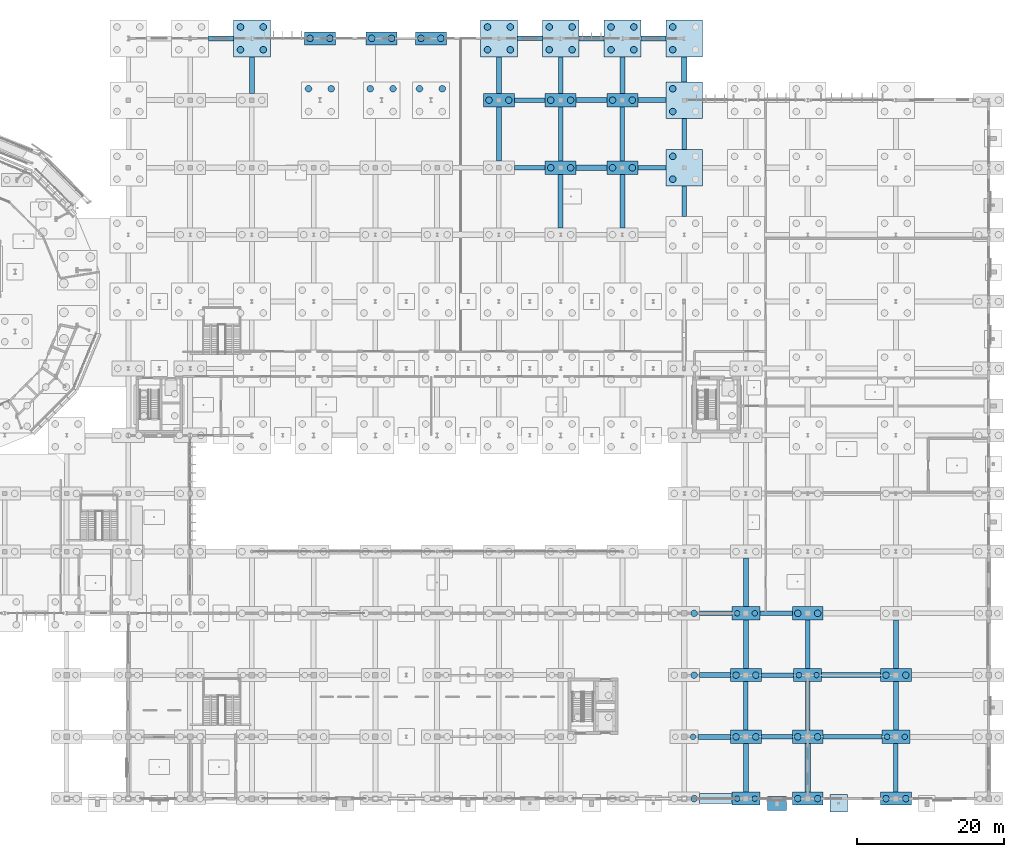
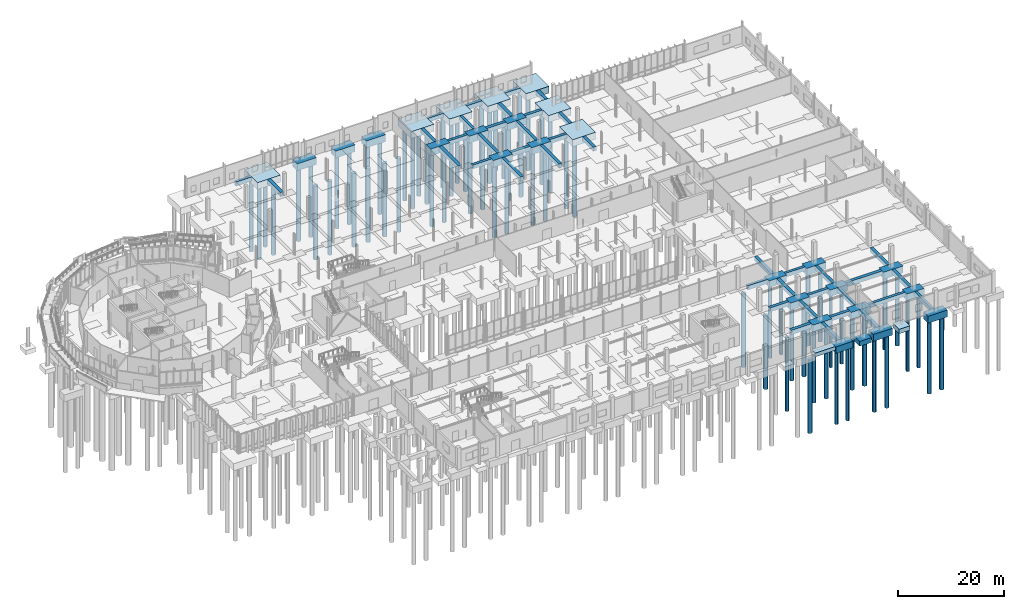
# One storey, part 6 of 119: 70 piles, 69 footings.
"""IFC4 building model written with IfcOpenShell, lengths in metres."""

from ifc_helpers import new_model, si_unit, derived_unit, direction, frame, origin, origin_2d, place, context, subcontext, project, spatial, rectangle, circle, extrude, material, layer, layer_set, material_profile, profile_set, type_object, element, save


model = new_model("IFC4")

# Units and contexts
model_context = context("Model", 3, precision=1e-05, world=origin(), true_north=direction((0.0, 1.0)))
body_context = subcontext(model_context, "Body", "Model", "MODEL_VIEW")
ifc_project = project(units=[si_unit("LENGTHUNIT", "METRE"), si_unit("AREAUNIT", "SQUARE_METRE"), si_unit("VOLUMEUNIT", "CUBIC_METRE"), si_unit("PLANEANGLEUNIT", "RADIAN"), si_unit("MASSUNIT", "GRAM", prefix="KILO"), derived_unit("THERMALTRANSMITTANCEUNIT", [(si_unit("MASSUNIT", "GRAM", prefix="KILO"), 1), (si_unit("TIMEUNIT", "SECOND"), -3), (si_unit("THERMODYNAMICTEMPERATUREUNIT", "KELVIN"), -1)])], contexts=[model_context])

# Site, building, storey
site_placement = place(None, origin())
site = spatial("IfcSite", under=ifc_project, at=site_placement, CompositionType="ELEMENT")
building_placement = place(site_placement, origin())
building = spatial("IfcBuilding", under=site, at=building_placement, Name="Makaiwela Harbour Ferry Terminal", CompositionType="ELEMENT")
storey_placement = place(building_placement, origin())
storey = spatial("IfcBuildingStorey", under=building, at=storey_placement, Name="L00", CompositionType="ELEMENT", Elevation=0.0)

# Footings
ifc_material_1 = material(Name="Concrete f'c 45 MPa (6500 psi)", Category="concrete")
ifc_layer_1 = layer(ifc_material_1, 1.10009765625)
ifc_layer_set_1 = layer_set([ifc_layer_1], Name="Concrete f'c 45 MPa (6500 psi)")
footing_type_1 = type_object("IfcFootingType", Name="FND-PAD-02", PredefinedType="PAD_FOOTING", material=ifc_layer_set_1)
footing_1_placement = place(storey_placement, frame((151.199951171875, -0.64990234375, -1.10009765625), z_axis=(0.0, 0.0, 1.0), x_axis=(1.0, 0.0, 0.0)))
element("IfcFooting", 1, at=footing_1_placement, inside=storey, type_object=footing_type_1, Name="Foundation Footing PF-02", PredefinedType="PAD_FOOTING", context=body_context, shape_type="SweptSolid", body=[
    extrude(rectangle(XDim=2.60009765625, YDim=1.89990234375, at=origin_2d()), origin(), (0.0, 0.0, 1.0), 1.10009765625),
])
ifc_layer_2 = layer(ifc_material_1, 1.050048828125)
ifc_layer_set_2 = layer_set([ifc_layer_2], Name="Concrete f'c 45 MPa (6500 psi)")
footing_type_2 = type_object("IfcFootingType", Name="FND-PAD-03", PredefinedType="PAD_FOOTING", material=ifc_layer_set_2)
footing_2_placement = place(storey_placement, frame((159.60009765625, -0.64990234375, -1.0498046875), z_axis=(0.0, 0.0, 1.0), x_axis=(1.0, 0.0, 0.0)))
element("IfcFooting", 2, at=footing_2_placement, inside=storey, type_object=footing_type_2, Name="Foundation Footing PF-03", PredefinedType="PAD_FOOTING", context=body_context, shape_type="SweptSolid", body=[
    extrude(rectangle(XDim=2.39990234375, YDim=2.39990234375, at=origin_2d()), origin(), (0.0, 0.0, 1.0), 1.050048828125),
])
ifc_layer_3 = layer(ifc_material_1, 1.60009765625)
ifc_layer_set_3 = layer_set([ifc_layer_3], Name="Concrete f'c 45 MPa (6500 psi)")
footing_type_3 = type_object("IfcFootingType", Name="FND-PC-01", PredefinedType="PILE_CAP", material=ifc_layer_set_3)
for number, where, z_axis, x_axis, name in (
    (3, (89.050048828125, 103.39990234375, -1.60009765625), (0.0, 0.0, 1.0), (1.0, 0.0, 0.0), "Foundation Footing PC-01"),
    (4, (97.449951171875, 103.39990234375, -1.60009765625), (0.0, 0.0, 1.0), (1.0, 0.0, 0.0), "Foundation Footing PC-01"),
    (5, (104.14990234375, 103.39990234375, -1.60009765625), (0.0, 0.0, 1.0), (1.0, 0.0, 0.0), "Foundation Footing PC-01"),
    (6, (113.39990234375, 95.0, -1.60009765625), (0.0, 0.0, 1.0), (1.0, 0.0, 0.0), "Foundation Footing PC-01"),
    (7, (121.800048828125, 85.800048828125, -1.60009765625), (0.0, 0.0, 1.0), (1.0, 0.0, 0.0), "Foundation Footing PC-01"),
    (8, (121.800048828125, 95.0, -1.60009765625), (0.0, 0.0, 1.0), (1.0, 0.0, 0.0), "Foundation Footing PC-01"),
    (9, (130.199951171875, 85.800048828125, -1.60009765625), (0.0, 0.0, 1.0), (1.0, 0.0, 0.0), "Foundation Footing PC-01"),
    (10, (130.199951171875, 95.0, -1.60009765625), (0.0, 0.0, 1.0), (1.0, 0.0, 0.0), "Foundation Footing PC-01"),
    (11, (147.0, 8.39990234375, -1.60009765625), (0.0, 0.0, 1.0), (1.0, 0.0, 0.0), "Foundation Footing PC-01"),
    (12, (147.0, 16.800048828125, -1.60009765625), (0.0, 0.0, 1.0), (1.0, 0.0, 0.0), "Foundation Footing PC-01"),
    (13, (155.39990234375, 0.0, -1.60009765625), (0.0, 0.0, 1.0), (1.0, 0.0, 0.0), "Foundation Footing PC-01"),
    (14, (155.39990234375, 8.39990234375, -1.60009765625), (0.0, 0.0, 1.0), (1.0, 0.0, 0.0), "Foundation Footing PC-01"),
    (15, (155.39990234375, 25.199951171875, -1.60009765625), (0.0, 0.0, 1.0), (1.0, 0.0, 0.0), "Foundation Footing PC-01"),
    (16, (167.39990234375, 0.0, -1.60009765625), (0.0, 0.0, 1.0), (1.0, 0.0, 0.0), "Foundation Footing PC-01"),
    (17, (167.39990234375, 16.800048828125, -1.60009765625), (0.0, 0.0, 1.0), (1.0, 0.0, 0.0), "Foundation Footing PC-01"),
):
    element("IfcFooting", number, at=place(storey_placement, frame(where, z_axis=z_axis, x_axis=x_axis)), inside=storey, type_object=footing_type_3, Name=name, PredefinedType="PILE_CAP", context=body_context, shape_type="SweptSolid", body=[
        extrude(rectangle(XDim=4.199951171875, YDim=1.800048828125, at=origin_2d()), origin(), (0.0, 0.0, 1.0), 1.60009765625),
    ])
ifc_layer_4 = layer(ifc_material_1, 1.60009765625)
ifc_layer_set_4 = layer_set([ifc_layer_4], Name="Concrete f'c 45 MPa (6500 psi)")
footing_type_4 = type_object("IfcFootingType", Name="FND-PC-04", PredefinedType="PILE_CAP", material=ifc_layer_set_4)
for number, where, z_axis, x_axis, name in (
    (18, (79.800048828125, 103.39990234375, -1.60009765625), (0.0, 0.0, 1.0), (1.0, 0.0, 0.0), "Foundation Footing PC-04"),
    (19, (113.39990234375, 103.39990234375, -1.60009765625), (0.0, 0.0, 1.0), (1.0, 0.0, 0.0), "Foundation Footing PC-04"),
    (20, (121.800048828125, 103.39990234375, -1.60009765625), (0.0, 0.0, 1.0), (1.0, 0.0, 0.0), "Foundation Footing PC-04"),
    (21, (130.199951171875, 103.39990234375, -1.60009765625), (0.0, 0.0, 1.0), (1.0, 0.0, 0.0), "Foundation Footing PC-04"),
    (22, (138.60009765625, 85.800048828125, -1.60009765625), (0.0, 0.0, 1.0), (1.0, 0.0, 0.0), "Foundation Footing PC-04"),
    (23, (138.60009765625, 95.0, -1.60009765625), (0.0, 0.0, 1.0), (1.0, 0.0, 0.0), "Foundation Footing PC-04"),
    (24, (138.60009765625, 103.39990234375, -1.60009765625), (0.0, 0.0, 1.0), (1.0, 0.0, 0.0), "Foundation Footing PC-04"),
):
    element("IfcFooting", number, at=place(storey_placement, frame(where, z_axis=z_axis, x_axis=x_axis)), inside=storey, type_object=footing_type_4, Name=name, PredefinedType="PILE_CAP", context=body_context, shape_type="SweptSolid", body=[
        extrude(rectangle(XDim=5.0, YDim=5.0, at=origin_2d()), origin(), (0.0, 0.0, 1.0), 1.60009765625),
    ])
ifc_layer_5 = layer(ifc_material_1, 1.5)
ifc_layer_set_5 = layer_set([ifc_layer_5], Name="Concrete f'c 45 MPa (6500 psi)")
footing_type_5 = type_object("IfcFootingType", Name="FND-PC-07", PredefinedType="PILE_CAP", material=ifc_layer_set_5)
for number, where, z_axis, x_axis, name in (
    (25, (147.0, 0.0, -1.5), (0.0, 0.0, 1.0), (1.0, 0.0, 0.0), "Foundation Footing PC-07"),
    (26, (147.0, 25.199951171875, -1.5), (0.0, 0.0, 1.0), (1.0, 0.0, 0.0), "Foundation Footing PC-07"),
    (27, (155.39990234375, 16.800048828125, -1.5), (0.0, 0.0, 1.0), (1.0, 0.0, 0.0), "Foundation Footing PC-07"),
    (28, (167.39990234375, 8.39990234375, -1.5), (0.0, 0.0, 1.0), (1.0, 0.0, 0.0), "Foundation Footing PC-07"),
):
    element("IfcFooting", number, at=place(storey_placement, frame(where, z_axis=z_axis, x_axis=x_axis)), inside=storey, type_object=footing_type_5, Name=name, PredefinedType="PILE_CAP", context=body_context, shape_type="SweptSolid", body=[
        extrude(rectangle(XDim=3.800048828125, YDim=1.800048828125, at=origin_2d()), origin(), (0.0, 0.0, 1.0), 1.5),
    ])

# Piles
ifc_material_2 = material(Name="Precast concrete f'c 45 MPa (6500 psi)", Category="concrete")
ifc_material_profile_1 = material_profile(ifc_material_2, circle(Radius=0.375, at=origin_2d()), Name="PILE-D750")
ifc_profile_set_1 = profile_set([ifc_material_profile_1], Name="Precast concrete f'c 45 MPa (6500 psi)")
pile_type_1 = type_object("IfcPileType", Name="FND-PIL-D750", PredefinedType="DRIVEN", material=ifc_profile_set_1)
for number, where, z_axis, x_axis, name in (
    (29, (139.800048828125, 8.39990234375, -1.35009765625), (0.0, 0.0, -1.0), (1.0, 0.0, 0.0), "Marine Pile MP-03"),
    (30, (145.800048828125, 0.0, -1.35009765625), (0.0, 0.0, -1.0), (1.0, 0.0, 0.0), "Marine Pile MP-03"),
    (31, (148.199951171875, 0.0, -1.35009765625), (0.0, 0.0, -1.0), (1.0, 0.0, 0.0), "Marine Pile MP-03"),
    (32, (145.800048828125, 25.199951171875, -1.35009765625), (0.0, 0.0, -1.0), (1.0, 0.0, 0.0), "Marine Pile MP-03"),
    (33, (148.199951171875, 25.199951171875, -1.35009765625), (0.0, 0.0, -1.0), (1.0, 0.0, 0.0), "Marine Pile MP-03"),
    (34, (154.199951171875, 16.800048828125, -1.35009765625), (0.0, 0.0, -1.0), (1.0, 0.0, 0.0), "Marine Pile MP-03"),
    (35, (156.60009765625, 16.800048828125, -1.35009765625), (0.0, 0.0, -1.0), (1.0, 0.0, 0.0), "Marine Pile MP-03"),
    (36, (166.199951171875, 8.39990234375, -1.35009765625), (0.0, 0.0, -1.0), (1.0, 0.0, 0.0), "Marine Pile MP-03"),
    (37, (168.60009765625, 8.39990234375, -1.35009765625), (0.0, 0.0, -1.0), (1.0, 0.0, 0.0), "Marine Pile MP-03"),
):
    element("IfcPile", number, at=place(storey_placement, frame(where, z_axis=z_axis, x_axis=x_axis)), inside=storey, type_object=pile_type_1, Name=name, PredefinedType="DRIVEN", context=body_context, shape_type="SweptSolid", body=[
        extrude(circle(Radius=0.375, at=origin_2d()), origin(), (0.0, 0.0, 1.0), 17.14990234375),
    ])
ifc_material_profile_2 = material_profile(ifc_material_1, circle(Radius=0.449951171875, at=origin_2d()), Name="PILE-D900")
ifc_profile_set_2 = profile_set([ifc_material_profile_2], Name="Concrete f'c 45 MPa (6500 psi)")
pile_type_2 = type_object("IfcPileType", Name="FND-PIL-D900", PredefinedType="BORED", material=ifc_profile_set_2)
for number, where, z_axis, x_axis, name in (
    (38, (87.5, 96.550048828125, -1.449951171875), (0.0, 0.0, -1.0), (1.0, 0.0, 0.0), "Marine Pile MP-01"),
    (39, (90.60009765625, 96.550048828125, -1.449951171875), (0.0, 0.0, -1.0), (1.0, 0.0, 0.0), "Marine Pile MP-01"),
    (40, (87.699951171875, 103.39990234375, -1.449951171875), (0.0, 0.0, -1.0), (1.0, 0.0, 0.0), "Marine Pile MP-01"),
    (41, (90.39990234375, 103.39990234375, -1.449951171875), (0.0, 0.0, -1.0), (1.0, 0.0, 0.0), "Marine Pile MP-01"),
    (42, (95.89990234375, 96.550048828125, -1.449951171875), (0.0, 0.0, -1.0), (1.0, 0.0, 0.0), "Marine Pile MP-01"),
    (43, (99.0, 96.550048828125, -1.449951171875), (0.0, 0.0, -1.0), (1.0, 0.0, 0.0), "Marine Pile MP-01"),
    (44, (96.10009765625, 103.39990234375, -1.449951171875), (0.0, 0.0, -1.0), (1.0, 0.0, 0.0), "Marine Pile MP-01"),
    (45, (98.800048828125, 103.39990234375, -1.449951171875), (0.0, 0.0, -1.0), (1.0, 0.0, 0.0), "Marine Pile MP-01"),
    (46, (102.60009765625, 96.550048828125, -1.449951171875), (0.0, 0.0, -1.0), (1.0, 0.0, 0.0), "Marine Pile MP-01"),
    (47, (105.699951171875, 96.550048828125, -1.449951171875), (0.0, 0.0, -1.0), (1.0, 0.0, 0.0), "Marine Pile MP-01"),
    (48, (102.800048828125, 103.39990234375, -1.449951171875), (0.0, 0.0, -1.0), (1.0, 0.0, 0.0), "Marine Pile MP-01"),
    (49, (105.5, 103.39990234375, -1.449951171875), (0.0, 0.0, -1.0), (1.0, 0.0, 0.0), "Marine Pile MP-01"),
    (50, (78.25, 101.85009765625, -1.449951171875), (0.0, 0.0, -1.0), (1.0, 0.0, 0.0), "Marine Pile MP-01"),
    (51, (81.35009765625, 101.85009765625, -1.449951171875), (0.0, 0.0, -1.0), (1.0, 0.0, 0.0), "Marine Pile MP-01"),
    (52, (78.25, 104.949951171875, -1.449951171875), (0.0, 0.0, -1.0), (1.0, 0.0, 0.0), "Marine Pile MP-01"),
    (53, (81.35009765625, 104.949951171875, -1.449951171875), (0.0, 0.0, -1.0), (1.0, 0.0, 0.0), "Marine Pile MP-01"),
    (54, (112.050048828125, 95.0, -1.449951171875), (0.0, 0.0, -1.0), (1.0, 0.0, 0.0), "Marine Pile MP-01"),
    (55, (114.75, 95.0, -1.449951171875), (0.0, 0.0, -1.0), (1.0, 0.0, 0.0), "Marine Pile MP-01"),
    (56, (111.85009765625, 101.85009765625, -1.449951171875), (0.0, 0.0, -1.0), (1.0, 0.0, 0.0), "Marine Pile MP-01"),
    (57, (114.949951171875, 101.85009765625, -1.449951171875), (0.0, 0.0, -1.0), (1.0, 0.0, 0.0), "Marine Pile MP-01"),
    (58, (111.85009765625, 104.949951171875, -1.449951171875), (0.0, 0.0, -1.0), (1.0, 0.0, 0.0), "Marine Pile MP-01"),
    (59, (114.949951171875, 104.949951171875, -1.449951171875), (0.0, 0.0, -1.0), (1.0, 0.0, 0.0), "Marine Pile MP-01"),
    (60, (120.449951171875, 85.800048828125, -1.449951171875), (0.0, 0.0, -1.0), (1.0, 0.0, 0.0), "Marine Pile MP-01"),
    (61, (123.14990234375, 85.800048828125, -1.449951171875), (0.0, 0.0, -1.0), (1.0, 0.0, 0.0), "Marine Pile MP-01"),
    (62, (120.449951171875, 95.0, -1.449951171875), (0.0, 0.0, -1.0), (1.0, 0.0, 0.0), "Marine Pile MP-01"),
    (63, (123.14990234375, 95.0, -1.449951171875), (0.0, 0.0, -1.0), (1.0, 0.0, 0.0), "Marine Pile MP-01"),
    (64, (120.25, 101.85009765625, -1.449951171875), (0.0, 0.0, -1.0), (1.0, 0.0, 0.0), "Marine Pile MP-01"),
    (65, (123.35009765625, 101.85009765625, -1.449951171875), (0.0, 0.0, -1.0), (1.0, 0.0, 0.0), "Marine Pile MP-01"),
    (66, (120.25, 104.949951171875, -1.449951171875), (0.0, 0.0, -1.0), (1.0, 0.0, 0.0), "Marine Pile MP-01"),
    (67, (123.35009765625, 104.949951171875, -1.449951171875), (0.0, 0.0, -1.0), (1.0, 0.0, 0.0), "Marine Pile MP-01"),
    (68, (128.85009765625, 85.800048828125, -1.449951171875), (0.0, 0.0, -1.0), (1.0, 0.0, 0.0), "Marine Pile MP-01"),
    (69, (131.550048828125, 85.800048828125, -1.449951171875), (0.0, 0.0, -1.0), (1.0, 0.0, 0.0), "Marine Pile MP-01"),
    (70, (128.85009765625, 95.0, -1.449951171875), (0.0, 0.0, -1.0), (1.0, 0.0, 0.0), "Marine Pile MP-01"),
    (71, (131.550048828125, 95.0, -1.449951171875), (0.0, 0.0, -1.0), (1.0, 0.0, 0.0), "Marine Pile MP-01"),
    (72, (128.64990234375, 101.85009765625, -1.449951171875), (0.0, 0.0, -1.0), (1.0, 0.0, 0.0), "Marine Pile MP-01"),
    (73, (131.75, 101.85009765625, -1.449951171875), (0.0, 0.0, -1.0), (1.0, 0.0, 0.0), "Marine Pile MP-01"),
    (74, (128.64990234375, 104.949951171875, -1.449951171875), (0.0, 0.0, -1.0), (1.0, 0.0, 0.0), "Marine Pile MP-01"),
    (75, (131.75, 104.949951171875, -1.449951171875), (0.0, 0.0, -1.0), (1.0, 0.0, 0.0), "Marine Pile MP-01"),
    (76, (137.050048828125, 84.25, -1.449951171875), (0.0, 0.0, -1.0), (1.0, 0.0, 0.0), "Marine Pile MP-01"),
    (77, (137.050048828125, 87.35009765625, -1.449951171875), (0.0, 0.0, -1.0), (1.0, 0.0, 0.0), "Marine Pile MP-01"),
    (78, (137.050048828125, 93.449951171875, -1.449951171875), (0.0, 0.0, -1.0), (1.0, 0.0, 0.0), "Marine Pile MP-01"),
    (79, (137.050048828125, 96.550048828125, -1.449951171875), (0.0, 0.0, -1.0), (1.0, 0.0, 0.0), "Marine Pile MP-01"),
    (80, (137.050048828125, 101.85009765625, -1.449951171875), (0.0, 0.0, -1.0), (1.0, 0.0, 0.0), "Marine Pile MP-01"),
    (81, (137.050048828125, 104.949951171875, -1.449951171875), (0.0, 0.0, -1.0), (1.0, 0.0, 0.0), "Marine Pile MP-01"),
    (82, (139.949951171875, 0.0, -1.449951171875), (0.0, 0.0, -1.0), (1.0, 0.0, 0.0), "Marine Pile MP-01"),
    (83, (139.949951171875, 16.800048828125, -1.449951171875), (0.0, 0.0, -1.0), (1.0, 0.0, 0.0), "Marine Pile MP-01"),
    (84, (139.949951171875, 25.199951171875, -1.449951171875), (0.0, 0.0, -1.0), (1.0, 0.0, 0.0), "Marine Pile MP-01"),
    (85, (145.64990234375, 8.39990234375, -1.449951171875), (0.0, 0.0, -1.0), (1.0, 0.0, 0.0), "Marine Pile MP-01"),
    (86, (148.35009765625, 8.39990234375, -1.449951171875), (0.0, 0.0, -1.0), (1.0, 0.0, 0.0), "Marine Pile MP-01"),
    (87, (145.64990234375, 16.800048828125, -1.449951171875), (0.0, 0.0, -1.0), (1.0, 0.0, 0.0), "Marine Pile MP-01"),
    (88, (148.35009765625, 16.800048828125, -1.449951171875), (0.0, 0.0, -1.0), (1.0, 0.0, 0.0), "Marine Pile MP-01"),
    (89, (154.050048828125, 0.0, -1.449951171875), (0.0, 0.0, -1.0), (1.0, 0.0, 0.0), "Marine Pile MP-01"),
    (90, (156.75, 0.0, -1.449951171875), (0.0, 0.0, -1.0), (1.0, 0.0, 0.0), "Marine Pile MP-01"),
    (91, (154.050048828125, 8.39990234375, -1.449951171875), (0.0, 0.0, -1.0), (1.0, 0.0, 0.0), "Marine Pile MP-01"),
    (92, (156.75, 8.39990234375, -1.449951171875), (0.0, 0.0, -1.0), (1.0, 0.0, 0.0), "Marine Pile MP-01"),
    (93, (154.050048828125, 25.199951171875, -1.449951171875), (0.0, 0.0, -1.0), (1.0, 0.0, 0.0), "Marine Pile MP-01"),
    (94, (156.75, 25.199951171875, -1.449951171875), (0.0, 0.0, -1.0), (1.0, 0.0, 0.0), "Marine Pile MP-01"),
    (95, (166.050048828125, 0.0, -1.449951171875), (0.0, 0.0, -1.0), (1.0, 0.0, 0.0), "Marine Pile MP-01"),
    (96, (168.75, 0.0, -1.449951171875), (0.0, 0.0, -1.0), (1.0, 0.0, 0.0), "Marine Pile MP-01"),
    (97, (166.050048828125, 16.800048828125, -1.449951171875), (0.0, 0.0, -1.0), (1.0, 0.0, 0.0), "Marine Pile MP-01"),
    (98, (168.75, 16.800048828125, -1.449951171875), (0.0, 0.0, -1.0), (1.0, 0.0, 0.0), "Marine Pile MP-01"),
):
    element("IfcPile", number, at=place(storey_placement, frame(where, z_axis=z_axis, x_axis=x_axis)), inside=storey, type_object=pile_type_2, Name=name, PredefinedType="BORED", context=body_context, shape_type="SweptSolid", body=[
        extrude(circle(Radius=0.449951171875, at=origin_2d()), origin(), (0.0, 0.0, 1.0), 17.050048828125),
    ])

# Footings
ifc_layer_6 = layer(ifc_material_1, 0.89990234375)
ifc_layer_set_6 = layer_set([ifc_layer_6], Name="Concrete f'c 45 MPa (6500 psi)")
footing_type_6 = type_object("IfcFootingType", Name="FND-STR-01", PredefinedType="STRIP_FOOTING", material=ifc_layer_set_6)
footing_3_placement = place(storey_placement, frame((142.89990234375, 0.0, -0.89990234375), z_axis=(0.0, 0.0, 1.0), x_axis=(1.0, 0.0, 0.0)))
element("IfcFooting", 99, at=footing_3_placement, inside=storey, type_object=footing_type_6, Name="Foundation Footing SF-01", PredefinedType="STRIP_FOOTING", context=body_context, shape_type="SweptSolid", body=[
    extrude(rectangle(XDim=4.39990234375, YDim=1.39990234375, at=origin_2d()), origin(), (0.0, 0.0, 1.0), 0.89990234375),
])
ifc_layer_7 = layer(ifc_material_1, 0.89990234375)
ifc_layer_set_7 = layer_set([ifc_layer_7], Name="Concrete f'c 45 MPa (6500 psi)")
footing_type_7 = type_object("IfcFootingType", Name="FND-TB-01", PredefinedType="FOOTING_BEAM", material=ifc_layer_set_7)
footing_4_placement = place(storey_placement, frame((161.5, 8.39990234375, -0.89990234375), z_axis=(0.0, 0.0, 1.0), x_axis=(1.0, 0.0, 0.0)))
element("IfcFooting", 100, at=footing_4_placement, inside=storey, type_object=footing_type_7, Name="Foundation Footing TB-01", PredefinedType="FOOTING_BEAM", context=body_context, shape_type="SweptSolid", body=[
    extrude(rectangle(XDim=8.0, YDim=0.60009765625, at=origin_2d()), origin(), (0.0, 0.0, 1.0), 0.89990234375),
])
for number, where, z_axis, x_axis, name in (
    (101, (151.300048828125, 16.800048828125, -0.89990234375), (0.0, 0.0, 1.0), (1.0, 0.0, 0.0), "Foundation Footing TB-01"),
    (102, (151.10009765625, 25.199951171875, -0.89990234375), (0.0, 0.0, 1.0), (1.0, 0.0, 0.0), "Foundation Footing TB-01"),
):
    element("IfcFooting", number, at=place(storey_placement, frame(where, z_axis=z_axis, x_axis=x_axis)), inside=storey, type_object=footing_type_7, Name=name, PredefinedType="FOOTING_BEAM", context=body_context, shape_type="SweptSolid", body=[
        extrude(rectangle(XDim=4.39990234375, YDim=0.60009765625, at=origin_2d()), origin(), (0.0, 0.0, 1.0), 0.89990234375),
    ])
for number, where, z_axis, x_axis, name in (
    (103, (117.60009765625, 85.800048828125, -0.89990234375), (0.0, 0.0, 1.0), (1.0, 0.0, 0.0), "Foundation Footing TB-01"),
    (104, (117.60009765625, 95.0, -0.89990234375), (0.0, 0.0, 1.0), (1.0, 0.0, 0.0), "Foundation Footing TB-01"),
):
    element("IfcFooting", number, at=place(storey_placement, frame(where, z_axis=z_axis, x_axis=x_axis)), inside=storey, type_object=footing_type_7, Name=name, PredefinedType="FOOTING_BEAM", context=body_context, shape_type="SweptSolid", body=[
        extrude(rectangle(XDim=4.199951171875, YDim=0.60009765625, at=origin_2d()), origin(), (0.0, 0.0, 1.0), 0.89990234375),
    ])
footing_5_placement = place(storey_placement, frame((117.60009765625, 103.39990234375, -0.89990234375), z_axis=(0.0, 0.0, 1.0), x_axis=(1.0, 0.0, 0.0)))
element("IfcFooting", 105, at=footing_5_placement, inside=storey, type_object=footing_type_7, Name="Foundation Footing TB-01", PredefinedType="FOOTING_BEAM", context=body_context, shape_type="SweptSolid", body=[
    extrude(rectangle(XDim=3.39990234375, YDim=0.60009765625, at=origin_2d()), origin(), (0.0, 0.0, 1.0), 0.89990234375),
])
footing_6_placement = place(storey_placement, frame((121.800048828125, 98.39990234375, -0.89990234375), z_axis=(0.0, 0.0, 1.0), x_axis=(0.0, 1.0, 0.0)))
element("IfcFooting", 106, at=footing_6_placement, inside=storey, type_object=footing_type_7, Name="Foundation Footing TB-01", PredefinedType="FOOTING_BEAM", context=body_context, shape_type="SweptSolid", body=[
    extrude(rectangle(XDim=5.0, YDim=0.60009765625, at=origin_2d()), origin(), (0.0, 0.0, 1.0), 0.89990234375),
])
footing_7_placement = place(storey_placement, frame((130.199951171875, 90.39990234375, -0.89990234375), z_axis=(0.0, 0.0, 1.0), x_axis=(0.0, 1.0, 0.0)))
element("IfcFooting", 107, at=footing_7_placement, inside=storey, type_object=footing_type_7, Name="Foundation Footing TB-01", PredefinedType="FOOTING_BEAM", context=body_context, shape_type="SweptSolid", body=[
    extrude(rectangle(XDim=7.39990234375, YDim=0.60009765625, at=origin_2d()), origin(), (0.0, 0.0, 1.0), 0.89990234375),
])
footing_8_placement = place(storey_placement, frame((138.60009765625, 90.39990234375, -0.89990234375), z_axis=(0.0, 0.0, 1.0), x_axis=(0.0, 1.0, 0.0)))
element("IfcFooting", 108, at=footing_8_placement, inside=storey, type_object=footing_type_7, Name="Foundation Footing TB-01", PredefinedType="FOOTING_BEAM", context=body_context, shape_type="SweptSolid", body=[
    extrude(rectangle(XDim=4.199951171875, YDim=0.60009765625, at=origin_2d()), origin(), (0.0, 0.0, 1.0), 0.89990234375),
])
for number, where, z_axis, x_axis, name in (
    (109, (147.0, 12.60009765625, -0.89990234375), (0.0, 0.0, 1.0), (0.0, 1.0, 0.0), "Foundation Footing TB-01"),
    (110, (155.39990234375, 21.0, -0.89990234375), (0.0, 0.0, 1.0), (0.0, 1.0, 0.0), "Foundation Footing TB-01"),
    (111, (167.39990234375, 4.199951171875, -0.89990234375), (0.0, 0.0, 1.0), (0.0, 1.0, 0.0), "Foundation Footing TB-01"),
):
    element("IfcFooting", number, at=place(storey_placement, frame(where, z_axis=z_axis, x_axis=x_axis)), inside=storey, type_object=footing_type_7, Name=name, PredefinedType="FOOTING_BEAM", context=body_context, shape_type="SweptSolid", body=[
        extrude(rectangle(XDim=6.60009765625, YDim=0.60009765625, at=origin_2d()), origin(), (0.0, 0.0, 1.0), 0.89990234375),
    ])
ifc_layer_8 = layer(ifc_material_1, 1.0)
ifc_layer_set_8 = layer_set([ifc_layer_8], Name="Concrete f'c 45 MPa (6500 psi)")
footing_type_8 = type_object("IfcFootingType", Name="FND-TB-02", PredefinedType="FOOTING_BEAM", material=ifc_layer_set_8)
footing_9_placement = place(storey_placement, frame((142.699951171875, 8.39990234375, -1.0), z_axis=(0.0, 0.0, 1.0), x_axis=(1.0, 0.0, 0.0)))
element("IfcFooting", 112, at=footing_9_placement, inside=storey, type_object=footing_type_8, Name="Foundation Footing TB-02", PredefinedType="FOOTING_BEAM", context=body_context, shape_type="SweptSolid", body=[
    extrude(rectangle(XDim=4.39990234375, YDim=0.699951171875, at=origin_2d()), origin(), (0.0, 0.0, 1.0), 1.0),
])
footing_10_placement = place(storey_placement, frame((161.300048828125, 16.800048828125, -1.0), z_axis=(0.0, 0.0, 1.0), x_axis=(1.0, 0.0, 0.0)))
element("IfcFooting", 113, at=footing_10_placement, inside=storey, type_object=footing_type_8, Name="Foundation Footing TB-02", PredefinedType="FOOTING_BEAM", context=body_context, shape_type="SweptSolid", body=[
    extrude(rectangle(XDim=8.0, YDim=0.699951171875, at=origin_2d()), origin(), (0.0, 0.0, 1.0), 1.0),
])
for number, where, z_axis, x_axis, name in (
    (114, (126.0, 85.800048828125, -1.0), (0.0, 0.0, 1.0), (1.0, 0.0, 0.0), "Foundation Footing TB-02"),
    (115, (126.0, 95.0, -1.0), (0.0, 0.0, 1.0), (1.0, 0.0, 0.0), "Foundation Footing TB-02"),
):
    element("IfcFooting", number, at=place(storey_placement, frame(where, z_axis=z_axis, x_axis=x_axis)), inside=storey, type_object=footing_type_8, Name=name, PredefinedType="FOOTING_BEAM", context=body_context, shape_type="SweptSolid", body=[
        extrude(rectangle(XDim=4.199951171875, YDim=0.699951171875, at=origin_2d()), origin(), (0.0, 0.0, 1.0), 1.0),
    ])
footing_11_placement = place(storey_placement, frame((126.0, 103.39990234375, -1.0), z_axis=(0.0, 0.0, 1.0), x_axis=(1.0, 0.0, 0.0)))
element("IfcFooting", 116, at=footing_11_placement, inside=storey, type_object=footing_type_8, Name="Foundation Footing TB-02", PredefinedType="FOOTING_BEAM", context=body_context, shape_type="SweptSolid", body=[
    extrude(rectangle(XDim=3.39990234375, YDim=0.699951171875, at=origin_2d()), origin(), (0.0, 0.0, 1.0), 1.0),
])
footing_12_placement = place(storey_placement, frame((79.800048828125, 98.39990234375, -1.0), z_axis=(0.0, 0.0, 1.0), x_axis=(0.0, 1.0, 0.0)))
element("IfcFooting", 117, at=footing_12_placement, inside=storey, type_object=footing_type_8, Name="Foundation Footing TB-02", PredefinedType="FOOTING_BEAM", context=body_context, shape_type="SweptSolid", body=[
    extrude(rectangle(XDim=5.0, YDim=0.699951171875, at=origin_2d()), origin(), (0.0, 0.0, 1.0), 1.0),
])
footing_13_placement = place(storey_placement, frame((113.39990234375, 90.39990234375, -1.0), z_axis=(0.0, 0.0, 1.0), x_axis=(0.0, 1.0, 0.0)))
element("IfcFooting", 118, at=footing_13_placement, inside=storey, type_object=footing_type_8, Name="Foundation Footing TB-02", PredefinedType="FOOTING_BEAM", context=body_context, shape_type="SweptSolid", body=[
    extrude(rectangle(XDim=7.39990234375, YDim=0.699951171875, at=origin_2d()), origin(), (0.0, 0.0, 1.0), 1.0),
])
footing_14_placement = place(storey_placement, frame((121.800048828125, 81.25, -1.0), z_axis=(0.0, 0.0, 1.0), x_axis=(0.0, 1.0, 0.0)))
element("IfcFooting", 119, at=footing_14_placement, inside=storey, type_object=footing_type_8, Name="Foundation Footing TB-02", PredefinedType="FOOTING_BEAM", context=body_context, shape_type="SweptSolid", body=[
    extrude(rectangle(XDim=7.300048828125, YDim=0.699951171875, at=origin_2d()), origin(), (0.0, 0.0, 1.0), 1.0),
])
footing_15_placement = place(storey_placement, frame((130.199951171875, 98.39990234375, -1.0), z_axis=(0.0, 0.0, 1.0), x_axis=(0.0, 1.0, 0.0)))
element("IfcFooting", 120, at=footing_15_placement, inside=storey, type_object=footing_type_8, Name="Foundation Footing TB-02", PredefinedType="FOOTING_BEAM", context=body_context, shape_type="SweptSolid", body=[
    extrude(rectangle(XDim=5.0, YDim=0.699951171875, at=origin_2d()), origin(), (0.0, 0.0, 1.0), 1.0),
])
footing_16_placement = place(storey_placement, frame((138.60009765625, 99.199951171875, -1.0), z_axis=(0.0, 0.0, 1.0), x_axis=(0.0, 1.0, 0.0)))
element("IfcFooting", 121, at=footing_16_placement, inside=storey, type_object=footing_type_8, Name="Foundation Footing TB-02", PredefinedType="FOOTING_BEAM", context=body_context, shape_type="SweptSolid", body=[
    extrude(rectangle(XDim=3.39990234375, YDim=0.699951171875, at=origin_2d()), origin(), (0.0, 0.0, 1.0), 1.0),
])
for number, where, z_axis, x_axis, name in (
    (122, (147.0, 21.0, -1.0), (0.0, 0.0, 1.0), (0.0, 1.0, 0.0), "Foundation Footing TB-02"),
    (123, (155.39990234375, 4.199951171875, -1.0), (0.0, 0.0, 1.0), (0.0, 1.0, 0.0), "Foundation Footing TB-02"),
    (124, (167.39990234375, 12.60009765625, -1.0), (0.0, 0.0, 1.0), (0.0, 1.0, 0.0), "Foundation Footing TB-02"),
):
    element("IfcFooting", number, at=place(storey_placement, frame(where, z_axis=z_axis, x_axis=x_axis)), inside=storey, type_object=footing_type_8, Name=name, PredefinedType="FOOTING_BEAM", context=body_context, shape_type="SweptSolid", body=[
        extrude(rectangle(XDim=6.60009765625, YDim=0.699951171875, at=origin_2d()), origin(), (0.0, 0.0, 1.0), 1.0),
    ])
ifc_layer_9 = layer(ifc_material_1, 0.949951171875)
ifc_layer_set_9 = layer_set([ifc_layer_9], Name="Concrete f'c 45 MPa (6500 psi)")
footing_type_9 = type_object("IfcFootingType", Name="FND-TB-03", PredefinedType="FOOTING_BEAM", material=ifc_layer_set_9)
for number, where, z_axis, x_axis, name in (
    (125, (151.199951171875, 8.39990234375, -0.9501953125), (0.0, 0.0, 1.0), (1.0, 0.0, 0.0), "Foundation Footing TB-03"),
    (126, (142.800048828125, 16.800048828125, -0.9501953125), (0.0, 0.0, 1.0), (1.0, 0.0, 0.0), "Foundation Footing TB-03"),
):
    element("IfcFooting", number, at=place(storey_placement, frame(where, z_axis=z_axis, x_axis=x_axis)), inside=storey, type_object=footing_type_9, Name=name, PredefinedType="FOOTING_BEAM", context=body_context, shape_type="SweptSolid", body=[
        extrude(rectangle(XDim=4.199951171875, YDim=0.64990234375, at=origin_2d()), origin(), (0.0, 0.0, 1.0), 0.949951171875),
    ])
footing_17_placement = place(storey_placement, frame((142.89990234375, 25.199951171875, -0.9501953125), z_axis=(0.0, 0.0, 1.0), x_axis=(1.0, 0.0, 0.0)))
element("IfcFooting", 127, at=footing_17_placement, inside=storey, type_object=footing_type_9, Name="Foundation Footing TB-03", PredefinedType="FOOTING_BEAM", context=body_context, shape_type="SweptSolid", body=[
    extrude(rectangle(XDim=4.39990234375, YDim=0.64990234375, at=origin_2d()), origin(), (0.0, 0.0, 1.0), 0.949951171875),
])
for number, where, z_axis, x_axis, name in (
    (128, (134.199951171875, 85.800048828125, -0.9501953125), (0.0, 0.0, 1.0), (1.0, 0.0, 0.0), "Foundation Footing TB-03"),
    (129, (134.199951171875, 95.0, -0.9501953125), (0.0, 0.0, 1.0), (1.0, 0.0, 0.0), "Foundation Footing TB-03"),
):
    element("IfcFooting", number, at=place(storey_placement, frame(where, z_axis=z_axis, x_axis=x_axis)), inside=storey, type_object=footing_type_9, Name=name, PredefinedType="FOOTING_BEAM", context=body_context, shape_type="SweptSolid", body=[
        extrude(rectangle(XDim=3.800048828125, YDim=0.64990234375, at=origin_2d()), origin(), (0.0, 0.0, 1.0), 0.949951171875),
    ])
for number, where, z_axis, x_axis, name in (
    (130, (75.60009765625, 103.39990234375, -0.9501953125), (0.0, 0.0, 1.0), (1.0, 0.0, 0.0), "Foundation Footing TB-03"),
    (131, (134.39990234375, 103.39990234375, -0.9501953125), (0.0, 0.0, 1.0), (1.0, 0.0, 0.0), "Foundation Footing TB-03"),
):
    element("IfcFooting", number, at=place(storey_placement, frame(where, z_axis=z_axis, x_axis=x_axis)), inside=storey, type_object=footing_type_9, Name=name, PredefinedType="FOOTING_BEAM", context=body_context, shape_type="SweptSolid", body=[
        extrude(rectangle(XDim=3.39990234375, YDim=0.64990234375, at=origin_2d()), origin(), (0.0, 0.0, 1.0), 0.949951171875),
    ])
footing_18_placement = place(storey_placement, frame((113.39990234375, 98.39990234375, -0.9501953125), z_axis=(0.0, 0.0, 1.0), x_axis=(0.0, 1.0, 0.0)))
element("IfcFooting", 132, at=footing_18_placement, inside=storey, type_object=footing_type_9, Name="Foundation Footing TB-03", PredefinedType="FOOTING_BEAM", context=body_context, shape_type="SweptSolid", body=[
    extrude(rectangle(XDim=5.0, YDim=0.64990234375, at=origin_2d()), origin(), (0.0, 0.0, 1.0), 0.949951171875),
])
footing_19_placement = place(storey_placement, frame((121.800048828125, 90.39990234375, -0.9501953125), z_axis=(0.0, 0.0, 1.0), x_axis=(0.0, 1.0, 0.0)))
element("IfcFooting", 133, at=footing_19_placement, inside=storey, type_object=footing_type_9, Name="Foundation Footing TB-03", PredefinedType="FOOTING_BEAM", context=body_context, shape_type="SweptSolid", body=[
    extrude(rectangle(XDim=7.39990234375, YDim=0.64990234375, at=origin_2d()), origin(), (0.0, 0.0, 1.0), 0.949951171875),
])
footing_20_placement = place(storey_placement, frame((130.199951171875, 81.25, -0.9501953125), z_axis=(0.0, 0.0, 1.0), x_axis=(0.0, 1.0, 0.0)))
element("IfcFooting", 134, at=footing_20_placement, inside=storey, type_object=footing_type_9, Name="Foundation Footing TB-03", PredefinedType="FOOTING_BEAM", context=body_context, shape_type="SweptSolid", body=[
    extrude(rectangle(XDim=7.300048828125, YDim=0.64990234375, at=origin_2d()), origin(), (0.0, 0.0, 1.0), 0.949951171875),
])
footing_21_placement = place(storey_placement, frame((138.60009765625, 81.25, -0.9501953125), z_axis=(0.0, 0.0, 1.0), x_axis=(0.0, 1.0, 0.0)))
element("IfcFooting", 135, at=footing_21_placement, inside=storey, type_object=footing_type_9, Name="Foundation Footing TB-03", PredefinedType="FOOTING_BEAM", context=body_context, shape_type="SweptSolid", body=[
    extrude(rectangle(XDim=4.10009765625, YDim=0.64990234375, at=origin_2d()), origin(), (0.0, 0.0, 1.0), 0.949951171875),
])
for number, where, z_axis, x_axis, name in (
    (136, (147.0, 4.199951171875, -0.9501953125), (0.0, 0.0, 1.0), (0.0, 1.0, 0.0), "Foundation Footing TB-03"),
    (137, (147.0, 29.39990234375, -0.9501953125), (0.0, 0.0, 1.0), (0.0, 1.0, 0.0), "Foundation Footing TB-03"),
    (138, (155.39990234375, 12.60009765625, -0.9501953125), (0.0, 0.0, 1.0), (0.0, 1.0, 0.0), "Foundation Footing TB-03"),
    (139, (167.39990234375, 21.0, -0.9501953125), (0.0, 0.0, 1.0), (0.0, 1.0, 0.0), "Foundation Footing TB-03"),
):
    element("IfcFooting", number, at=place(storey_placement, frame(where, z_axis=z_axis, x_axis=x_axis)), inside=storey, type_object=footing_type_9, Name=name, PredefinedType="FOOTING_BEAM", context=body_context, shape_type="SweptSolid", body=[
        extrude(rectangle(XDim=6.60009765625, YDim=0.64990234375, at=origin_2d()), origin(), (0.0, 0.0, 1.0), 0.949951171875),
    ])

save(model, "model.ifc")
